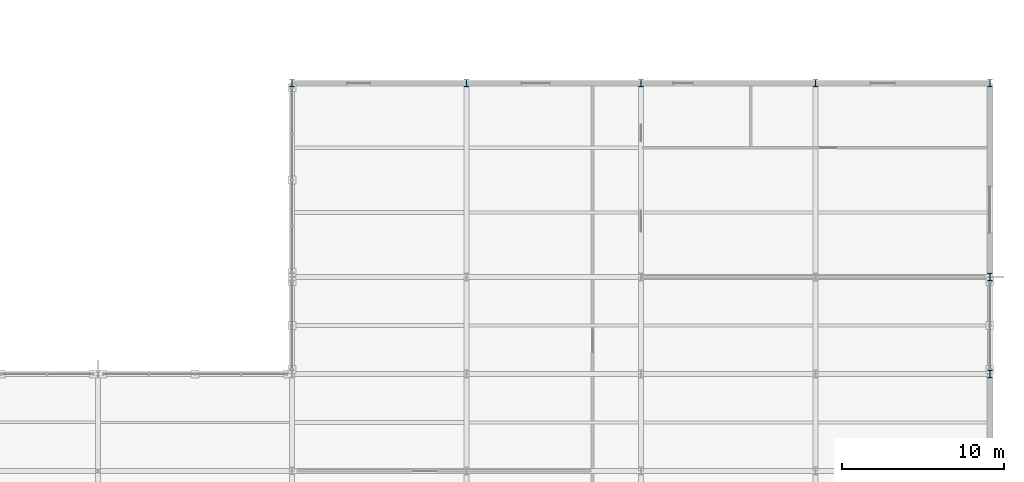
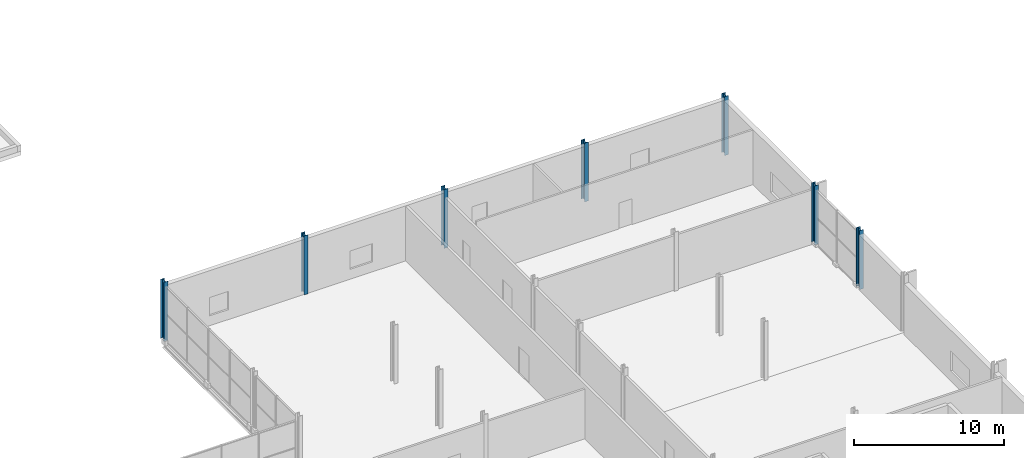
# One storey, part 21 of 159: 7 columns.
"""IFC4 building model written with IfcOpenShell, lengths in metres."""

from ifc_helpers import new_model, si_unit, direction, frame, origin, origin_2d, place, context, subcontext, project, spatial, i_section, extrude, material, material_profile, profile_set, type_object, element, save


model = new_model("IFC4")

# Units and contexts
model_context = context("Model", 3, precision=1e-05, world=origin(), true_north=direction((0.0, 1.0)))
body_context = subcontext(model_context, "Body", "Model", "MODEL_VIEW")
ifc_project = project(units=[si_unit("LENGTHUNIT", "METRE"), si_unit("AREAUNIT", "SQUARE_METRE"), si_unit("VOLUMEUNIT", "CUBIC_METRE"), si_unit("PLANEANGLEUNIT", "RADIAN"), si_unit("MASSUNIT", "GRAM", prefix="KILO")], contexts=[model_context])

# Site, building, storey
site_placement = place(None, origin())
site = spatial("IfcSite", under=ifc_project, at=site_placement, CompositionType="ELEMENT")
building_placement = place(site_placement, origin())
building = spatial("IfcBuilding", under=site, at=building_placement, Name="Merenkruunu Market Hall", CompositionType="ELEMENT")
storey_placement = place(building_placement, frame((0.0, 0.0, 5.39990234375)))
storey = spatial("IfcBuildingStorey", under=building, at=storey_placement, Name="L01", CompositionType="ELEMENT", Elevation=5.39990234375)

# Columns
ifc_material = material(Name="Steel S355J2", Category="steel")
ifc_material_profile = material_profile(ifc_material, i_section(OverallWidth=0.300048828125, OverallDepth=0.43994140625, WebThickness=0.011474609375, FlangeThickness=0.02099609375, FilletRadius=0.027099609375, at=origin_2d()), Name="HEA 450")
ifc_profile_set = profile_set([ifc_material_profile], Name="Steel S355J2")
column_type = type_object("IfcColumnType", Name="Structural Column C07", PredefinedType="COLUMN", material=ifc_profile_set)
for number, where, z_axis, x_axis, name in (
    (1, (148.800048828125, 63.60009765625, 0.0), (0.0, 0.0, 1.0), (1.0, 0.0, 0.0), "COL-L01-Q-08"),
    (2, (159.60009765625, 63.60009765625, 0.0), (0.0, 0.0, 1.0), (1.0, 0.0, 0.0), "COL-L01-R-08"),
    (3, (170.39990234375, 63.60009765625, 0.0), (0.0, 0.0, 1.0), (1.0, 0.0, 0.0), "COL-L01-S-08"),
    (4, (181.199951171875, 63.60009765625, 0.0), (0.0, 0.0, 1.0), (1.0, 0.0, 0.0), "COL-L01-T-08"),
    (5, (192.0, 45.60009765625, 0.0), (0.0, 0.0, 1.0), (1.0, 0.0, 0.0), "COL-L01-U-06"),
    (6, (192.0, 51.60009765625, 0.0), (0.0, 0.0, 1.0), (1.0, 0.0, 0.0), "COL-L01-U-07"),
    (7, (192.0, 63.60009765625, 0.0), (0.0, 0.0, 1.0), (1.0, 0.0, 0.0), "COL-L01-U-08"),
):
    element("IfcColumn", number, at=place(storey_placement, frame(where, z_axis=z_axis, x_axis=x_axis)), inside=storey, type_object=column_type, Name=name, PredefinedType="COLUMN", context=body_context, shape_type="SweptSolid", body=[
        extrude(i_section(OverallWidth=0.300048828125, OverallDepth=0.43994140625, WebThickness=0.011474609375, FlangeThickness=0.02099609375, FilletRadius=0.027099609375, at=origin_2d()), origin(), (0.0, 0.0, 1.0), 4.800048828125),
    ])

save(model, "model.ifc")
